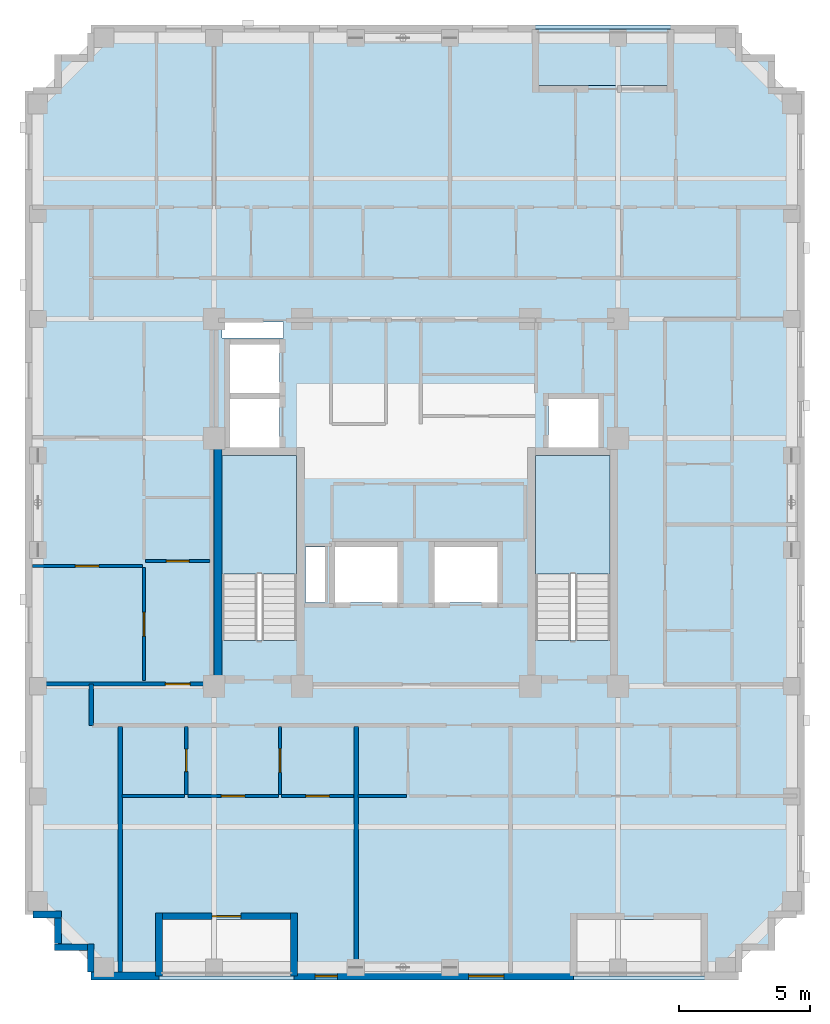
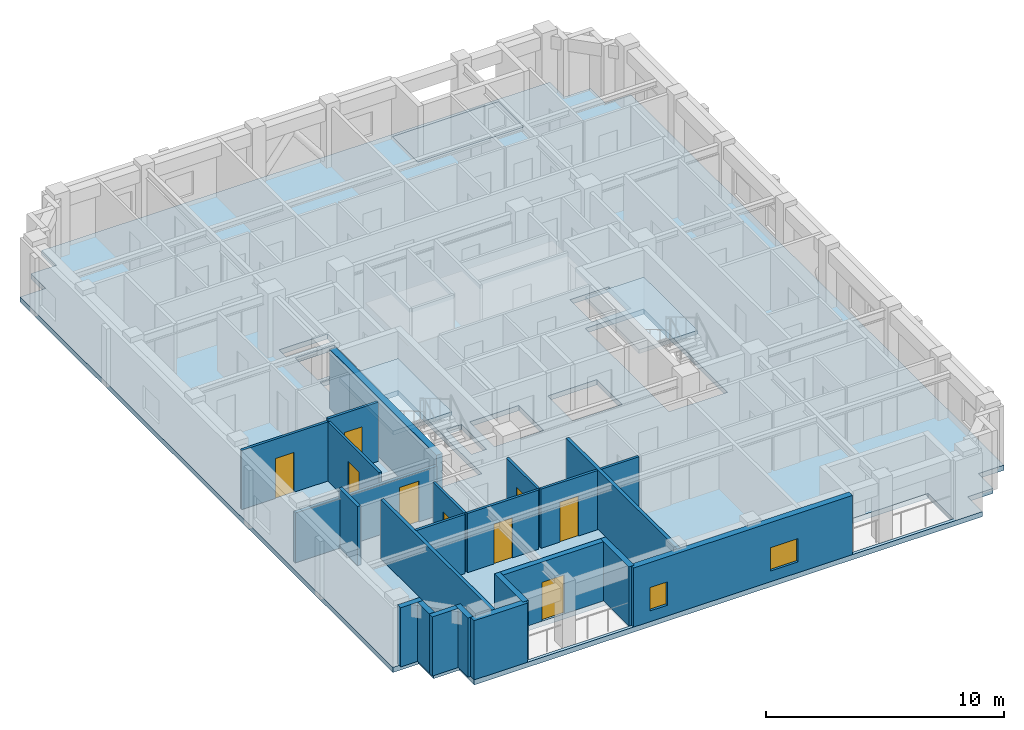
# One storey, part 2 of 11: 23 walls, 9 doors, 4 slabs, 2 windows, 11 openings, 2 elements without a shape of their own.
"""IFC4 building model written with IfcOpenShell, lengths in metres."""

from ifc_helpers import new_model, si_unit, derived_unit, direction, frame, frame_2d, origin, place, context, subcontext, project, spatial, polyline, rectangle, outline, extrude, material, layer, layer_set, type_object, element, fill, aggregate, save


model = new_model("IFC4")

# Units and contexts
model_context = context("Model", 3, precision=1e-05, world=origin(), true_north=direction((0.0, 1.0)))
body_context = subcontext(model_context, "Body", "Model", "MODEL_VIEW")
ifc_project = project(units=[si_unit("LENGTHUNIT", "METRE"), si_unit("AREAUNIT", "SQUARE_METRE"), si_unit("VOLUMEUNIT", "CUBIC_METRE"), si_unit("PLANEANGLEUNIT", "RADIAN"), si_unit("MASSUNIT", "GRAM", prefix="KILO"), derived_unit("THERMALTRANSMITTANCEUNIT", [(si_unit("MASSUNIT", "GRAM", prefix="KILO"), 1), (si_unit("TIMEUNIT", "SECOND"), -3), (si_unit("THERMODYNAMICTEMPERATUREUNIT", "KELVIN"), -1)])], contexts=[model_context])

# Site, building, storey
site_placement = place(None, origin())
site = spatial("IfcSite", under=ifc_project, at=site_placement, CompositionType="ELEMENT")
building_placement = place(site_placement, origin())
building = spatial("IfcBuilding", under=site, at=building_placement, Name="Korrvale Station Residences", CompositionType="ELEMENT")
storey_placement = place(building_placement, frame((0.0, 0.0, 214.0)))
storey = spatial("IfcBuildingStorey", under=building, at=storey_placement, Name="L62", CompositionType="ELEMENT", Elevation=214.0)

# Slabs
ifc_material_1 = material(Name="Concrete C50/60", Category="concrete")
ifc_layer_1 = layer(ifc_material_1, 0.219970703125, Name="Concrete C50/60")
ifc_layer_set_1 = layer_set([ifc_layer_1], Name="Concrete C50/60")
slab_type_1 = type_object("IfcSlabType", Name="SLB-BAL-220", PredefinedType="FLOOR", material=ifc_layer_set_1)
slab_1_placement = place(storey_placement, frame((0.0, 0.0, -0.219970703125)))
element("IfcSlab", 1, at=slab_1_placement, inside=storey, type_object=slab_type_1, Name="L62 Recessed Loggia Balcony Slab BAL-L62-N1", PredefinedType="FLOOR", context=body_context, shape_type="SweptSolid", body=[
    extrude(outline(polyline([(30.050048828125, 37.89990234375), (35.199951171875, 37.89990234375), (35.199951171875, 40.050048828125), (30.050048828125, 40.050048828125), (30.050048828125, 37.89990234375)])), origin(), (0.0, 0.0, 1.0), 0.219970703125),
])
ifc_layer_2 = layer(ifc_material_1, 0.260009765625, Name="Concrete C50/60")
ifc_layer_set_2 = layer_set([ifc_layer_2], Name="Concrete C50/60")
slab_type_2 = type_object("IfcSlabType", Name="SLB-FLR-260", PredefinedType="FLOOR", material=ifc_layer_set_2)
slab_2_placement = place(storey_placement, frame((0.0, 0.0, -0.260009765625)))
element("IfcSlab", 2, at=slab_2_placement, inside=storey, type_object=slab_type_2, Name="L62 Suspended Structural Floor Slab", PredefinedType="FLOOR", context=body_context, shape_type="SweptSolid", body=[
    extrude(outline(polyline([(13.10009765625, 3.800048828125), (37.800048828125, 3.800048828125), (37.800048828125, 5.050048828125), (39.050048828125, 5.050048828125), (39.050048828125, 6.300048828125), (40.300048828125, 6.300048828125), (40.300048828125, 37.699951171875), (39.050048828125, 37.699951171875), (39.050048828125, 38.949951171875), (37.800048828125, 38.949951171875), (37.800048828125, 40.199951171875), (13.10009765625, 40.199951171875), (13.10009765625, 38.949951171875), (11.85009765625, 38.949951171875), (11.85009765625, 37.699951171875), (10.60009765625, 37.699951171875), (10.60009765625, 6.300048828125), (11.85009765625, 6.300048828125), (11.85009765625, 5.050048828125), (13.10009765625, 5.050048828125), (13.10009765625, 3.800048828125)]), holes=[polyline([(20.949951171875, 16.751953125), (20.949951171875, 23.800048828125), (18.10009765625, 23.800048828125), (18.10009765625, 16.751953125), (20.949951171875, 16.751953125)]), polyline([(32.89990234375, 16.751953125), (32.89990234375, 23.800048828125), (30.050048828125, 23.800048828125), (30.050048828125, 16.751953125), (32.89990234375, 16.751953125)]), polyline([(18.39990234375, 24.10009765625), (20.300048828125, 24.10009765625), (20.300048828125, 25.949951171875), (18.39990234375, 25.949951171875), (18.39990234375, 24.10009765625)]), polyline([(18.39990234375, 26.169921875), (20.300048828125, 26.169921875), (20.300048828125, 28.02001953125), (18.39990234375, 28.02001953125), (18.39990234375, 26.169921875)]), polyline([(30.550048828125, 24.10009765625), (32.449951171875, 24.10009765625), (32.449951171875, 25.949951171875), (30.550048828125, 25.949951171875), (30.550048828125, 24.10009765625)]), polyline([(22.39990234375, 18.199951171875), (24.800048828125, 18.199951171875), (24.800048828125, 20.300048828125), (22.39990234375, 20.300048828125), (22.39990234375, 18.199951171875)]), polyline([(26.199951171875, 18.199951171875), (28.60009765625, 18.199951171875), (28.60009765625, 20.300048828125), (26.199951171875, 20.300048828125), (26.199951171875, 18.199951171875)]), polyline([(18.10009765625, 28.280029296875), (20.449951171875, 28.280029296875), (20.449951171875, 28.8798828125), (18.10009765625, 28.8798828125), (18.10009765625, 28.280029296875)]), polyline([(21.280029296875, 18.199951171875), (22.02001953125, 18.199951171875), (22.02001953125, 20.300048828125), (21.280029296875, 20.300048828125), (21.280029296875, 18.199951171875)]), polyline([(15.699951171875, 3.949951171875), (20.85009765625, 3.949951171875), (20.85009765625, 6.10009765625), (15.699951171875, 6.10009765625), (15.699951171875, 3.949951171875)]), polyline([(30.050048828125, 37.89990234375), (35.199951171875, 37.89990234375), (35.199951171875, 40.050048828125), (30.050048828125, 40.050048828125), (30.050048828125, 37.89990234375)]), polyline([(31.5, 3.949951171875), (36.5, 3.949951171875), (36.5, 6.10009765625), (31.5, 6.10009765625), (31.5, 3.949951171875)])]), origin(), (0.0, 0.0, 1.0), 0.260009765625),
])

# Stair, slab
stair_type = type_object("IfcStairType", Name="STR-DL-1350-20R-1650", PredefinedType="HALF_TURN_STAIR", material=ifc_material_1)
stair_1_placement = place(storey_placement, origin())
stair_1 = element("IfcStair", 3, at=stair_1_placement, inside=storey, type_object=stair_type, Name="L62 Exit Stair 1", PredefinedType="HALF_TURN_STAIR")
ifc_layer_3 = layer(ifc_material_1, 0.199951171875, Name="Concrete C50/60")
ifc_layer_set_3 = layer_set([ifc_layer_3], Name="Concrete C50/60")
slab_type_3 = type_object("IfcSlabType", Name="SLB-LND-200", PredefinedType="LANDING", material=ifc_layer_set_3)
slab_3_placement = place(storey_placement, frame((0.0, 0.0, 1.449951171875)))
slab_3 = element("IfcSlab", 4, at=slab_3_placement, type_object=slab_type_3, Name="ST-1 landing 1", PredefinedType="LANDING", context=body_context, shape_type="SweptSolid", body=[
    extrude(outline(polyline([(20.949951171875, 19.27001953125), (20.949951171875, 23.800048828125), (18.10009765625, 23.800048828125), (18.10009765625, 19.27001953125), (20.949951171875, 19.27001953125)])), origin(), (0.0, 0.0, 1.0), 0.199951171875),
])
aggregate(stair_1, [slab_3])

stair_2_placement = place(storey_placement, origin())
stair_2 = element("IfcStair", 5, at=stair_2_placement, inside=storey, type_object=stair_type, Name="L62 Exit Stair 2", PredefinedType="HALF_TURN_STAIR")
slab_4_placement = place(storey_placement, frame((0.0, 0.0, 1.449951171875)))
slab_4 = element("IfcSlab", 6, at=slab_4_placement, type_object=slab_type_3, Name="ST-2 landing 1", PredefinedType="LANDING", context=body_context, shape_type="SweptSolid", body=[
    extrude(outline(polyline([(32.89990234375, 19.27001953125), (32.89990234375, 23.800048828125), (30.050048828125, 23.800048828125), (30.050048828125, 19.27001953125), (32.89990234375, 19.27001953125)])), origin(), (0.0, 0.0, 1.0), 0.199951171875),
])
aggregate(stair_2, [slab_4])

# Walls
ifc_layer_4 = layer(ifc_material_1, 0.300048828125, Name="Concrete C50/60")
ifc_layer_set_4 = layer_set([ifc_layer_4], Name="Concrete C50/60")
wall_type_1 = type_object("IfcWallType", Name="WAL-CORE-300-C50", PredefinedType="SHEAR", material=ifc_layer_set_4)
wall_1_placement = place(storey_placement, frame((17.949951171875, 15.10009765625, 0.0), z_axis=(0.0, 0.0, 1.0), x_axis=(0.0, 1.0, 0.0)))
element("IfcWall", 7, at=wall_1_placement, inside=storey, type_object=wall_type_1, Name="L62 ST-1 Core Shear Wall West", PredefinedType="SHEAR", context=body_context, shape_type="SweptSolid", body=[
    extrude(rectangle(XDim=9.0, YDim=0.300048828125, at=frame_2d((4.5, 0.0))), origin(), (0.0, 0.0, 1.0), 3.0400390625),
])
ifc_material_2 = material(Name="Precast concrete C45/55", Category="concrete")
ifc_layer_5 = layer(ifc_material_2, 0.260009765625, Name="Precast concrete C45/55")
ifc_layer_set_5 = layer_set([ifc_layer_5], Name="Precast concrete C45/55")
wall_type_2 = type_object("IfcWallType", Name="WAL-EXT-LOG260", PredefinedType="SOLIDWALL", material=ifc_layer_set_5)
wall_2_placement = place(storey_placement, frame((20.85009765625, 3.9599609375, 0.0), z_axis=(0.0, 0.0, 1.0), x_axis=(0.0, 1.0, 0.0)))
element("IfcWall", 8, at=wall_2_placement, inside=storey, type_object=wall_type_2, Name="L62 Recessed Loggia Wall BAL-L62-S1-L", PredefinedType="SOLIDWALL", context=body_context, shape_type="SweptSolid", body=[
    extrude(rectangle(XDim=2.400146484375, YDim=0.260009765625, at=frame_2d((1.2001953125, 0.0))), origin(), (0.0, 0.0, 1.0), 3.0400390625),
])

# Wall, opening, door
wall_3_placement = place(storey_placement, frame((20.716064453125, 6.22998046875, 0.0), z_axis=(0.0, 0.0, 1.0), x_axis=(-1.0, 0.0, 0.0)))
wall_3 = element("IfcWall", 9, at=wall_3_placement, inside=storey, type_object=wall_type_2, Name="L62 Recessed Loggia Wall BAL-L62-S1-B", PredefinedType="SOLIDWALL", context=body_context, shape_type="SweptSolid", body=[
    extrude(rectangle(XDim=4.882080078125, YDim=0.260009765625, at=frame_2d((2.44091796875, 0.0))), origin(), (0.0, 0.0, 1.0), 3.0400390625),
])
opening_1_placement = place(wall_3_placement, frame((1.89111328125, 0.0, 0.0)))
opening_1 = element("IfcOpeningElement", 10, at=opening_1_placement, cuts=wall_3, Name="Opening BD-01", PredefinedType="OPENING", context=body_context, shape_type="SweptSolid", body=[
    extrude(rectangle(XDim=1.10009765625, YDim=2.0, at=frame_2d((0.550048828125, 1.0))), frame((0.0, 0.14013671875, 0.0), z_axis=(0.0, -1.0, 0.0), x_axis=(1.0, 0.0, 0.0)), (0.0, 0.0, 1.0), 0.280029296875),
])
ifc_material_3 = material(Name="Exterior thermally broken aluminium glazed balcony door", Category="aluminium")
door_type_1 = type_object("IfcDoorType", Name="DR-EXT-BAL", OperationType="NOTDEFINED", PredefinedType="DOOR", material=ifc_material_3)
door_1_placement = place(opening_1_placement, origin())
door_1 = element("IfcDoor", 11, at=door_1_placement, inside=storey, type_object=door_type_1, Name="L62 Loggia Balcony Door BAL-L62-S1", OperationType="SINGLE_SWING_LEFT", OverallHeight=2.0, OverallWidth=1.10009765625, PredefinedType="DOOR", context=body_context, shape_type="SweptSolid", body=[
    extrude(rectangle(XDim=1.10009765625, YDim=2.0, at=frame_2d((0.550048828125, 1.0))), frame((0.0, 0.02490234375, 0.0), z_axis=(0.0, -1.0, 0.0), x_axis=(1.0, 0.0, 0.0)), (0.0, 0.0, 1.0), 0.050048828125),
])
fill(opening_1, door_1)

# Walls
wall_4_placement = place(storey_placement, frame((15.699951171875, 6.360107421875, 0.0), z_axis=(0.0, 0.0, 1.0), x_axis=(0.0, -1.0, 0.0)))
element("IfcWall", 12, at=wall_4_placement, inside=storey, type_object=wall_type_2, Name="L62 Recessed Loggia Wall BAL-L62-S1-R", PredefinedType="SOLIDWALL", context=body_context, shape_type="SweptSolid", body=[
    extrude(rectangle(XDim=2.400146484375, YDim=0.260009765625, at=frame_2d((1.2001953125, 0.0))), origin(), (0.0, 0.0, 1.0), 3.0400390625),
])
wall_5_placement = place(storey_placement, frame((13.10009765625, 4.10205078125, 0.0), z_axis=(0.0, 0.0, 1.0), x_axis=(0.0, 1.0, 0.0)))
element("IfcWall", 13, at=wall_5_placement, inside=storey, type_object=wall_type_2, Name="L62 Serrated Corner Precast Step SW-1", PredefinedType="SOLIDWALL", context=body_context, shape_type="SweptSolid", body=[
    extrude(rectangle(XDim=1.077880859375, YDim=0.260009765625, at=frame_2d((0.5390625, 0.0))), origin(), (0.0, 0.0, 1.0), 3.0400390625),
])
wall_6_placement = place(storey_placement, frame((12.968017578125, 5.050048828125, 0.0), z_axis=(0.0, 0.0, 1.0), x_axis=(-1.0, 0.0, 0.0)))
element("IfcWall", 14, at=wall_6_placement, inside=storey, type_object=wall_type_2, Name="L62 Serrated Corner Precast Step SW-2", PredefinedType="SOLIDWALL", context=body_context, shape_type="SweptSolid", body=[
    extrude(rectangle(XDim=1.248046875, YDim=0.260009765625, at=frame_2d((0.6240234375, 0.0))), origin(), (0.0, 0.0, 1.0), 3.0400390625),
])
wall_7_placement = place(storey_placement, frame((11.85009765625, 5.181884765625, 0.0), z_axis=(0.0, 0.0, 1.0), x_axis=(0.0, 1.0, 0.0)))
element("IfcWall", 15, at=wall_7_placement, inside=storey, type_object=wall_type_2, Name="L62 Serrated Corner Precast Step SW-3", PredefinedType="SOLIDWALL", context=body_context, shape_type="SweptSolid", body=[
    extrude(rectangle(XDim=0.986083984375, YDim=0.260009765625, at=frame_2d((0.4931640625, 0.0))), origin(), (0.0, 0.0, 1.0), 3.0400390625),
])
wall_8_placement = place(storey_placement, frame((11.97998046875, 6.300048828125, 0.0), z_axis=(0.0, 0.0, 1.0), x_axis=(-1.0, 0.0, 0.0)))
element("IfcWall", 16, at=wall_8_placement, inside=storey, type_object=wall_type_2, Name="L62 Serrated Corner Precast Step SW-4", PredefinedType="SOLIDWALL", context=body_context, shape_type="SweptSolid", body=[
    extrude(rectangle(XDim=1.077880859375, YDim=0.260009765625, at=frame_2d((0.5390625, 0.0))), origin(), (0.0, 0.0, 1.0), 3.0400390625),
])

# Wall, openings, windows
ifc_layer_6 = layer(ifc_material_2, 0.300048828125, Name="Precast concrete C45/55")
ifc_layer_set_6 = layer_set([ifc_layer_6], Name="Precast concrete C45/55")
wall_type_3 = type_object("IfcWallType", Name="WAL-EXT-PC300", PredefinedType="SOLIDWALL", material=ifc_layer_set_6)
wall_9_placement = place(storey_placement, frame((31.5, 3.949951171875, 0.0), z_axis=(0.0, 0.0, 1.0), x_axis=(-1.0, 0.0, 0.0)))
wall_9 = element("IfcWall", 17, at=wall_9_placement, inside=storey, type_object=wall_type_3, Name="L62 South Exterior Precast Wall 2", PredefinedType="SOLIDWALL", context=body_context, shape_type="SweptSolid", body=[
    extrude(rectangle(XDim=10.64990234375, YDim=0.300048828125, at=frame_2d((5.324951171875, 0.0))), origin(), (0.0, 0.0, 1.0), 3.0400390625),
])
opening_2_placement = place(wall_9_placement, frame((9.0, 0.0, 0.550048828125)))
opening_2 = element("IfcOpeningElement", 18, at=opening_2_placement, cuts=wall_9, Name="Opening W-11", PredefinedType="OPENING", context=body_context, shape_type="SweptSolid", body=[
    extrude(rectangle(XDim=0.85009765625, YDim=1.199951171875, at=frame_2d((0.425048828125, 0.60009765625))), frame((0.0, 0.16015625, 0.0), z_axis=(0.0, -1.0, 0.0), x_axis=(1.0, 0.0, 0.0)), (0.0, 0.0, 1.0), 0.320068359375),
])
opening_3_placement = place(wall_9_placement, frame((2.64990234375, 0.0, 0.550048828125)))
opening_3 = element("IfcOpeningElement", 19, at=opening_3_placement, cuts=wall_9, Name="Opening W-10", PredefinedType="OPENING", context=body_context, shape_type="SweptSolid", body=[
    extrude(rectangle(XDim=1.35009765625, YDim=1.199951171875, at=frame_2d((0.675048828125, 0.60009765625))), frame((0.0, 0.16015625, 0.0), z_axis=(0.0, -1.0, 0.0), x_axis=(1.0, 0.0, 0.0)), (0.0, 0.0, 1.0), 0.320068359375),
])
ifc_material_4 = material(Name="Thermally broken aluminium frame with triple low-e glazing", Category="aluminium")
window_type_1 = type_object("IfcWindowType", Name="WIN-W10", PartitioningType="SINGLE_PANEL", PredefinedType="WINDOW", material=ifc_material_4)
window_1_placement = place(opening_3_placement, origin())
window_1 = element("IfcWindow", 20, at=window_1_placement, inside=storey, type_object=window_type_1, Name="L62 Punched Window 02", OverallHeight=1.199951171875, OverallWidth=1.35009765625, PartitioningType="SINGLE_PANEL", PredefinedType="WINDOW", context=body_context, shape_type="SweptSolid", body=[
    extrude(rectangle(XDim=1.35009765625, YDim=1.199951171875, at=frame_2d((0.675048828125, 0.60009765625))), frame((0.0, 0.030029296875, 0.0), z_axis=(0.0, -1.0, 0.0), x_axis=(1.0, 0.0, 0.0)), (0.0, 0.0, 1.0), 0.06005859375),
])
fill(opening_3, window_1)
window_type_2 = type_object("IfcWindowType", Name="WIN-W11", PartitioningType="SINGLE_PANEL", PredefinedType="WINDOW", material=ifc_material_4)
window_2_placement = place(opening_2_placement, origin())
window_2 = element("IfcWindow", 21, at=window_2_placement, inside=storey, type_object=window_type_2, Name="L62 Punched Window 01", OverallHeight=1.199951171875, OverallWidth=0.85009765625, PartitioningType="SINGLE_PANEL", PredefinedType="WINDOW", context=body_context, shape_type="SweptSolid", body=[
    extrude(rectangle(XDim=0.85009765625, YDim=1.199951171875, at=frame_2d((0.425048828125, 0.60009765625))), frame((0.0, 0.030029296875, 0.0), z_axis=(0.0, -1.0, 0.0), x_axis=(1.0, 0.0, 0.0)), (0.0, 0.0, 1.0), 0.06005859375),
])
fill(opening_2, window_2)

# Wall
wall_10_placement = place(storey_placement, frame((15.699951171875, 3.949951171875, 0.0), z_axis=(0.0, 0.0, 1.0), x_axis=(-1.0, 0.0, 0.0)))
element("IfcWall", 22, at=wall_10_placement, inside=storey, type_object=wall_type_3, Name="L62 South Exterior Precast Wall 3", PredefinedType="SOLIDWALL", context=body_context, shape_type="SweptSolid", body=[
    extrude(rectangle(XDim=2.599853515625, YDim=0.300048828125, at=frame_2d((1.2998046875, 0.0))), origin(), (0.0, 0.0, 1.0), 3.0400390625),
])

# Wall, opening, door
ifc_material_5 = material(Name="Acoustic steel-stud gypsum board partition", Category="steel")
ifc_layer_7 = layer(ifc_material_5, 0.1201171875, Name="Acoustic steel-stud gypsum board partition")
ifc_layer_set_7 = layer_set([ifc_layer_7], Name="Acoustic steel-stud gypsum board partition")
wall_type_4 = type_object("IfcWallType", Name="WAL-PART-125", PredefinedType="PARTITIONING", material=ifc_layer_set_7)
wall_11_placement = place(storey_placement, frame((16.739990234375, 10.8701171875, 0.0), z_axis=(0.0, 0.0, 1.0), x_axis=(0.0, 1.0, 0.0)))
wall_11 = element("IfcWall", 23, at=wall_11_placement, inside=storey, type_object=wall_type_4, Name="L62 Suite Partition U01-V01", PredefinedType="PARTITIONING", context=body_context, shape_type="SweptSolid", body=[
    extrude(rectangle(XDim=2.599853515625, YDim=0.1201171875, at=frame_2d((1.2998046875, 0.0))), origin(), (0.0, 0.0, 1.0), 3.0400390625),
])
opening_4_placement = place(wall_11_placement, frame((0.8701171875, 0.0, 0.0)))
opening_4 = element("IfcOpeningElement", 24, at=opening_4_placement, cuts=wall_11, Name="Opening DB-860", PredefinedType="OPENING", context=body_context, shape_type="SweptSolid", body=[
    extrude(rectangle(XDim=0.860107421875, YDim=2.050048828125, at=frame_2d((0.43017578125, 1.02490234375))), frame((0.0, 0.070068359375, 0.0), z_axis=(0.0, -1.0, 0.0), x_axis=(1.0, 0.0, 0.0)), (0.0, 0.0, 1.0), 0.14013671875),
])
ifc_material_6 = material(Name="Moisture-resistant solid-core bathroom door", Category="timber")
door_type_2 = type_object("IfcDoorType", Name="DR-BATH-860", OperationType="NOTDEFINED", PredefinedType="DOOR", material=ifc_material_6)
door_2_placement = place(opening_4_placement, origin())
door_2 = element("IfcDoor", 25, at=door_2_placement, inside=storey, type_object=door_type_2, Name="L62 Studio Apartment L62-U01 Bathroom Door", OperationType="SINGLE_SWING_LEFT", OverallHeight=2.050048828125, OverallWidth=0.860107421875, PredefinedType="DOOR", context=body_context, shape_type="SweptSolid", body=[
    extrude(rectangle(XDim=0.860107421875, YDim=2.050048828125, at=frame_2d((0.43017578125, 1.02490234375))), frame((0.0, 0.02490234375, 0.0), z_axis=(0.0, -1.0, 0.0), x_axis=(1.0, 0.0, 0.0)), (0.0, 0.0, 1.0), 0.050048828125),
])
fill(opening_4, door_2)

# Wall
wall_12_placement = place(storey_placement, frame((14.280029296875, 10.81005859375, 0.0), z_axis=(0.0, 0.0, 1.0), x_axis=(1.0, 0.0, 0.0)))
element("IfcWall", 26, at=wall_12_placement, inside=storey, type_object=wall_type_4, Name="L62 Suite Partition U01-H03", PredefinedType="PARTITIONING", context=body_context, shape_type="SweptSolid", body=[
    extrude(rectangle(XDim=2.39990234375, YDim=0.1201171875, at=frame_2d((1.199951171875, 0.0))), origin(), (0.0, 0.0, 1.0), 3.0400390625),
])

# Wall, opening, door
wall_13_placement = place(storey_placement, frame((20.31005859375, 10.8701171875, 0.0), z_axis=(0.0, 0.0, 1.0), x_axis=(0.0, 1.0, 0.0)))
wall_13 = element("IfcWall", 27, at=wall_13_placement, inside=storey, type_object=wall_type_4, Name="L62 Suite Partition U01-V12", PredefinedType="PARTITIONING", context=body_context, shape_type="SweptSolid", body=[
    extrude(rectangle(XDim=2.599853515625, YDim=0.1201171875, at=frame_2d((1.2998046875, 0.0))), origin(), (0.0, 0.0, 1.0), 3.0400390625),
])
opening_5_placement = place(wall_13_placement, frame((0.85009765625, 0.0, 0.0)))
opening_5 = element("IfcOpeningElement", 28, at=opening_5_placement, cuts=wall_13, Name="Opening DI-900", PredefinedType="OPENING", context=body_context, shape_type="SweptSolid", body=[
    extrude(rectangle(XDim=0.89990234375, YDim=2.050048828125, at=frame_2d((0.449951171875, 1.02490234375))), frame((0.0, 0.070068359375, 0.0), z_axis=(0.0, -1.0, 0.0), x_axis=(1.0, 0.0, 0.0)), (0.0, 0.0, 1.0), 0.14013671875),
])
ifc_material_7 = material(Name="Painted solid-core timber interior room door", Category="wood")
door_type_3 = type_object("IfcDoorType", Name="DR-INT-900", OperationType="NOTDEFINED", PredefinedType="DOOR", material=ifc_material_7)
door_3_placement = place(opening_5_placement, origin())
door_3 = element("IfcDoor", 29, at=door_3_placement, inside=storey, type_object=door_type_3, Name="L62 Studio Apartment L62-U01 Kitchen Door", OperationType="SINGLE_SWING_RIGHT", OverallHeight=2.050048828125, OverallWidth=0.89990234375, PredefinedType="DOOR", context=body_context, shape_type="SweptSolid", body=[
    extrude(rectangle(XDim=0.89990234375, YDim=2.050048828125, at=frame_2d((0.449951171875, 1.02490234375))), frame((0.0, 0.02490234375, 0.0), z_axis=(0.0, -1.0, 0.0), x_axis=(1.0, 0.0, 0.0)), (0.0, 0.0, 1.0), 0.050048828125),
])
fill(opening_5, door_3)

wall_14_placement = place(storey_placement, frame((16.800048828125, 10.81005859375, 0.0), z_axis=(0.0, 0.0, 1.0), x_axis=(1.0, 0.0, 0.0)))
wall_14 = element("IfcWall", 30, at=wall_14_placement, inside=storey, type_object=wall_type_4, Name="L62 Suite Partition U01-H13", PredefinedType="PARTITIONING", context=body_context, shape_type="SweptSolid", body=[
    extrude(rectangle(XDim=3.449951171875, YDim=0.1201171875, at=frame_2d((1.72509765625, 0.0))), origin(), (0.0, 0.0, 1.0), 3.0400390625),
])
opening_6_placement = place(wall_14_placement, frame((1.27490234375, 0.0, 0.0)))
opening_6 = element("IfcOpeningElement", 31, at=opening_6_placement, cuts=wall_14, Name="Opening DI-900", PredefinedType="OPENING", context=body_context, shape_type="SweptSolid", body=[
    extrude(rectangle(XDim=0.89990234375, YDim=2.050048828125, at=frame_2d((0.449951171875, 1.02490234375))), frame((0.0, 0.070068359375, 0.0), z_axis=(0.0, -1.0, 0.0), x_axis=(1.0, 0.0, 0.0)), (0.0, 0.0, 1.0), 0.14013671875),
])
door_4_placement = place(opening_6_placement, origin())
door_4 = element("IfcDoor", 32, at=door_4_placement, inside=storey, type_object=door_type_3, Name="L62 Studio Apartment L62-U01 Kitchen Door", OperationType="SINGLE_SWING_LEFT", OverallHeight=2.050048828125, OverallWidth=0.89990234375, PredefinedType="DOOR", context=body_context, shape_type="SweptSolid", body=[
    extrude(rectangle(XDim=0.89990234375, YDim=2.050048828125, at=frame_2d((0.449951171875, 1.02490234375))), frame((0.0, 0.02490234375, 0.0), z_axis=(0.0, -1.0, 0.0), x_axis=(1.0, 0.0, 0.0)), (0.0, 0.0, 1.0), 0.050048828125),
])
fill(opening_6, door_4)

wall_15_placement = place(storey_placement, frame((20.3701171875, 10.81005859375, 0.0), z_axis=(0.0, 0.0, 1.0), x_axis=(1.0, 0.0, 0.0)))
wall_15 = element("IfcWall", 33, at=wall_15_placement, inside=storey, type_object=wall_type_4, Name="L62 Suite Partition U01-H23", PredefinedType="PARTITIONING", context=body_context, shape_type="SweptSolid", body=[
    extrude(rectangle(XDim=2.75, YDim=0.1201171875, at=frame_2d((1.375, 0.0))), origin(), (0.0, 0.0, 1.0), 3.0400390625),
])
opening_7_placement = place(wall_15_placement, frame((0.925048828125, 0.0, 0.0)))
opening_7 = element("IfcOpeningElement", 34, at=opening_7_placement, cuts=wall_15, Name="Opening DI-900", PredefinedType="OPENING", context=body_context, shape_type="SweptSolid", body=[
    extrude(rectangle(XDim=0.89990234375, YDim=2.050048828125, at=frame_2d((0.449951171875, 1.02490234375))), frame((0.0, 0.070068359375, 0.0), z_axis=(0.0, -1.0, 0.0), x_axis=(1.0, 0.0, 0.0)), (0.0, 0.0, 1.0), 0.14013671875),
])
door_5_placement = place(opening_7_placement, origin())
door_5 = element("IfcDoor", 35, at=door_5_placement, inside=storey, type_object=door_type_3, Name="L62 Studio Apartment L62-U01 Utility and Laundry Room Door", OperationType="SINGLE_SWING_RIGHT", OverallHeight=2.050048828125, OverallWidth=0.89990234375, PredefinedType="DOOR", context=body_context, shape_type="SweptSolid", body=[
    extrude(rectangle(XDim=0.89990234375, YDim=2.050048828125, at=frame_2d((0.449951171875, 1.02490234375))), frame((0.0, 0.02490234375, 0.0), z_axis=(0.0, -1.0, 0.0), x_axis=(1.0, 0.0, 0.0)), (0.0, 0.0, 1.0), 0.050048828125),
])
fill(opening_7, door_5)

# Wall
wall_16_placement = place(storey_placement, frame((23.280029296875, 10.81005859375, 0.0), z_axis=(0.0, 0.0, 1.0), x_axis=(1.0, 0.0, 0.0)))
element("IfcWall", 36, at=wall_16_placement, inside=storey, type_object=wall_type_4, Name="L62 Suite Partition U02-H02", PredefinedType="PARTITIONING", context=body_context, shape_type="SweptSolid", body=[
    extrude(rectangle(XDim=1.849853515625, YDim=0.1201171875, at=frame_2d((0.9248046875, 0.0))), origin(), (0.0, 0.0, 1.0), 3.0400390625),
])

# Wall, opening, door
wall_17_placement = place(storey_placement, frame((15.18994140625, 19.77001953125, 0.0), z_axis=(0.0, 0.0, 1.0), x_axis=(1.0, 0.0, 0.0)))
wall_17 = element("IfcWall", 37, at=wall_17_placement, inside=storey, type_object=wall_type_4, Name="L62 Suite Partition U07-H12", PredefinedType="PARTITIONING", context=body_context, shape_type="SweptSolid", body=[
    extrude(rectangle(XDim=2.449951171875, YDim=0.1201171875, at=frame_2d((1.22509765625, 0.0))), origin(), (0.0, 0.0, 1.0), 3.0400390625),
])
opening_8_placement = place(wall_17_placement, frame((0.794921875, 0.0, 0.0)))
opening_8 = element("IfcOpeningElement", 38, at=opening_8_placement, cuts=wall_17, Name="Opening DB-860", PredefinedType="OPENING", context=body_context, shape_type="SweptSolid", body=[
    extrude(rectangle(XDim=0.860107421875, YDim=2.050048828125, at=frame_2d((0.43017578125, 1.02490234375))), frame((0.0, 0.070068359375, 0.0), z_axis=(0.0, -1.0, 0.0), x_axis=(1.0, 0.0, 0.0)), (0.0, 0.0, 1.0), 0.14013671875),
])
door_6_placement = place(opening_8_placement, origin())
door_6 = element("IfcDoor", 39, at=door_6_placement, inside=storey, type_object=door_type_2, Name="L62 Apartment 2BR L62-U07 Bathroom Door", OperationType="SINGLE_SWING_LEFT", OverallHeight=2.050048828125, OverallWidth=0.860107421875, PredefinedType="DOOR", context=body_context, shape_type="SweptSolid", body=[
    extrude(rectangle(XDim=0.860107421875, YDim=2.050048828125, at=frame_2d((0.43017578125, 1.02490234375))), frame((0.0, 0.02490234375, 0.0), z_axis=(0.0, -1.0, 0.0), x_axis=(1.0, 0.0, 0.0)), (0.0, 0.0, 1.0), 0.050048828125),
])
fill(opening_8, door_6)

wall_18_placement = place(storey_placement, frame((15.1298828125, 15.2099609375, 0.0), z_axis=(0.0, 0.0, 1.0), x_axis=(0.0, 1.0, 0.0)))
wall_18 = element("IfcWall", 40, at=wall_18_placement, inside=storey, type_object=wall_type_4, Name="L62 Suite Partition U07-V23", PredefinedType="PARTITIONING", context=body_context, shape_type="SweptSolid", body=[
    extrude(rectangle(XDim=4.30810546875, YDim=0.1201171875, at=frame_2d((2.154052734375, 0.0))), origin(), (0.0, 0.0, 1.0), 3.0400390625),
])
opening_9_placement = place(wall_18_placement, frame((1.7041015625, 0.0, 0.0)))
opening_9 = element("IfcOpeningElement", 41, at=opening_9_placement, cuts=wall_18, Name="Opening DI-900", PredefinedType="OPENING", context=body_context, shape_type="SweptSolid", body=[
    extrude(rectangle(XDim=0.89990234375, YDim=2.050048828125, at=frame_2d((0.449951171875, 1.02490234375))), frame((0.0, 0.070068359375, 0.0), z_axis=(0.0, -1.0, 0.0), x_axis=(1.0, 0.0, 0.0)), (0.0, 0.0, 1.0), 0.14013671875),
])
door_7_placement = place(opening_9_placement, origin())
door_7 = element("IfcDoor", 42, at=door_7_placement, inside=storey, type_object=door_type_3, Name="L62 Apartment 2BR L62-U07 Kitchen Door", OperationType="SINGLE_SWING_RIGHT", OverallHeight=2.050048828125, OverallWidth=0.89990234375, PredefinedType="DOOR", context=body_context, shape_type="SweptSolid", body=[
    extrude(rectangle(XDim=0.89990234375, YDim=2.050048828125, at=frame_2d((0.449951171875, 1.02490234375))), frame((0.0, 0.02490234375, 0.0), z_axis=(0.0, -1.0, 0.0), x_axis=(1.0, 0.0, 0.0)), (0.0, 0.0, 1.0), 0.050048828125),
])
fill(opening_9, door_7)

wall_19_placement = place(storey_placement, frame((10.8798828125, 19.577880859375, 0.0), z_axis=(0.0, 0.0, 1.0), x_axis=(1.0, 0.0, 0.0)))
wall_19 = element("IfcWall", 43, at=wall_19_placement, inside=storey, type_object=wall_type_4, Name="L62 Suite Partition U07-H34", PredefinedType="PARTITIONING", context=body_context, shape_type="SweptSolid", body=[
    extrude(rectangle(XDim=4.190185546875, YDim=0.1201171875, at=frame_2d((2.09521484375, 0.0))), origin(), (0.0, 0.0, 1.0), 3.0400390625),
])
opening_10_placement = place(wall_19_placement, frame((1.6298828125, 0.0, 0.0)))
opening_10 = element("IfcOpeningElement", 44, at=opening_10_placement, cuts=wall_19, Name="Opening DI-900", PredefinedType="OPENING", context=body_context, shape_type="SweptSolid", body=[
    extrude(rectangle(XDim=0.89990234375, YDim=2.050048828125, at=frame_2d((0.449951171875, 1.02490234375))), frame((0.0, 0.070068359375, 0.0), z_axis=(0.0, -1.0, 0.0), x_axis=(1.0, 0.0, 0.0)), (0.0, 0.0, 1.0), 0.14013671875),
])
door_8_placement = place(opening_10_placement, origin())
door_8 = element("IfcDoor", 45, at=door_8_placement, inside=storey, type_object=door_type_3, Name="L62 Apartment 2BR L62-U07 Bedroom 1 Door", OperationType="SINGLE_SWING_LEFT", OverallHeight=2.050048828125, OverallWidth=0.89990234375, PredefinedType="DOOR", context=body_context, shape_type="SweptSolid", body=[
    extrude(rectangle(XDim=0.89990234375, YDim=2.050048828125, at=frame_2d((0.449951171875, 1.02490234375))), frame((0.0, 0.02490234375, 0.0), z_axis=(0.0, -1.0, 0.0), x_axis=(1.0, 0.0, 0.0)), (0.0, 0.0, 1.0), 0.050048828125),
])
fill(opening_10, door_8)

# Walls
ifc_material_8 = material(Name="Fire-rated twin-stud gypsum and mineral wool shaftwall assembly", Category="gypsum")
ifc_layer_8 = layer(ifc_material_8, 0.159912109375, Name="Fire-rated twin-stud gypsum and mineral wool shaftwall assembly")
ifc_layer_set_8 = layer_set([ifc_layer_8], Name="Fire-rated twin-stud gypsum and mineral wool shaftwall assembly")
wall_type_5 = type_object("IfcWallType", Name="WAL-PART-200", PredefinedType="PARTITIONING", material=ifc_layer_set_8)
wall_20_placement = place(storey_placement, frame((13.1201171875, 13.510009765625, 0.0), z_axis=(0.0, 0.0, 1.0), x_axis=(0.0, 1.0, 0.0)))
element("IfcWall", 46, at=wall_20_placement, inside=storey, type_object=wall_type_5, Name="L62 Corridor South West Cap", PredefinedType="PARTITIONING", context=body_context, shape_type="SweptSolid", body=[
    extrude(rectangle(XDim=1.580078125, YDim=0.159912109375, at=frame_2d((0.7900390625, 0.0))), origin(), (0.0, 0.0, 1.0), 3.0400390625),
])
for number, where, z_axis, x_axis, name in (
    (47, (14.219970703125, 4.080078125, 0.0), (0.0, 0.0, 1.0), (0.0, 1.0, 0.0), "L62 Demising Wall U01-W"),
    (48, (23.219970703125, 4.080078125, 0.0), (0.0, 0.0, 1.0), (0.0, 1.0, 0.0), "L62 Demising Wall U02-W"),
):
    element("IfcWall", number, at=place(storey_placement, frame(where, z_axis=z_axis, x_axis=x_axis)), inside=storey, type_object=wall_type_5, Name=name, PredefinedType="PARTITIONING", context=body_context, shape_type="SweptSolid", body=[
        extrude(rectangle(XDim=9.389892578125, YDim=0.159912109375, at=frame_2d((4.69482421875, 0.0))), origin(), (0.0, 0.0, 1.0), 3.0400390625),
    ])

# Wall, opening, door
wall_21_placement = place(storey_placement, frame((10.8798828125, 15.080078125, 0.0), z_axis=(0.0, 0.0, 1.0), x_axis=(1.0, 0.0, 0.0)))
wall_21 = element("IfcWall", 49, at=wall_21_placement, inside=storey, type_object=wall_type_5, Name="L62 Side Suite South Entry Wall U07", PredefinedType="PARTITIONING", context=body_context, shape_type="SweptSolid", body=[
    extrude(rectangle(XDim=6.880126953125, YDim=0.159912109375, at=frame_2d((3.43994140625, 0.0))), origin(), (0.0, 0.0, 1.0), 2.555908203125),
])
opening_11_placement = place(wall_21_placement, frame((5.06005859375, 0.0, 0.0)))
opening_11 = element("IfcOpeningElement", 50, at=opening_11_placement, cuts=wall_21, Name="Opening UD-950", PredefinedType="OPENING", context=body_context, shape_type="SweptSolid", body=[
    extrude(rectangle(XDim=0.949951171875, YDim=2.10009765625, at=frame_2d((0.47509765625, 1.050048828125))), frame((0.0, 0.08984375, 0.0), z_axis=(0.0, -1.0, 0.0), x_axis=(1.0, 0.0, 0.0)), (0.0, 0.0, 1.0), 0.179931640625),
])
ifc_material_9 = material(Name="Solid-core acoustic oak apartment entrance door", Category="timber")
door_type_4 = type_object("IfcDoorType", Name="DR-UNIT-950", OperationType="NOTDEFINED", PredefinedType="DOOR", material=ifc_material_9)
door_9_placement = place(opening_11_placement, origin())
door_9 = element("IfcDoor", 51, at=door_9_placement, inside=storey, type_object=door_type_4, Name="L62 Apartment L62-U07 Entrance Door", OperationType="SINGLE_SWING_RIGHT", OverallHeight=2.10009765625, OverallWidth=0.949951171875, PredefinedType="DOOR", context=body_context, shape_type="SweptSolid", body=[
    extrude(rectangle(XDim=0.949951171875, YDim=2.10009765625, at=frame_2d((0.47509765625, 1.050048828125))), frame((0.0, 0.02490234375, 0.0), z_axis=(0.0, -1.0, 0.0), x_axis=(1.0, 0.0, 0.0)), (0.0, 0.0, 1.0), 0.050048828125),
])
fill(opening_11, door_9)

save(model, "model.ifc")
